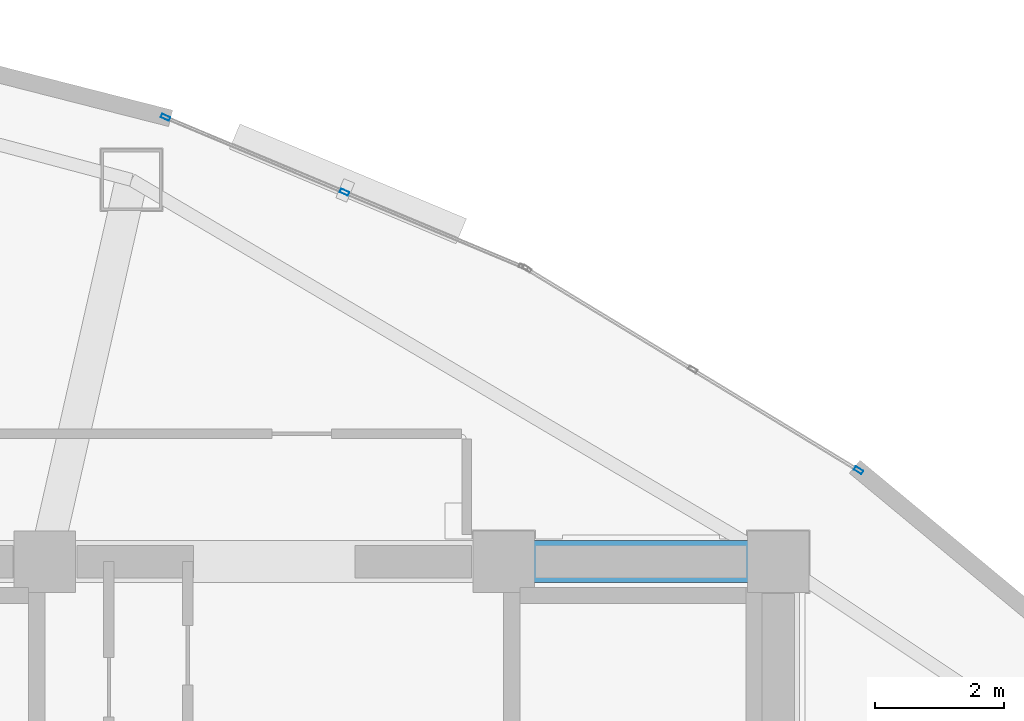
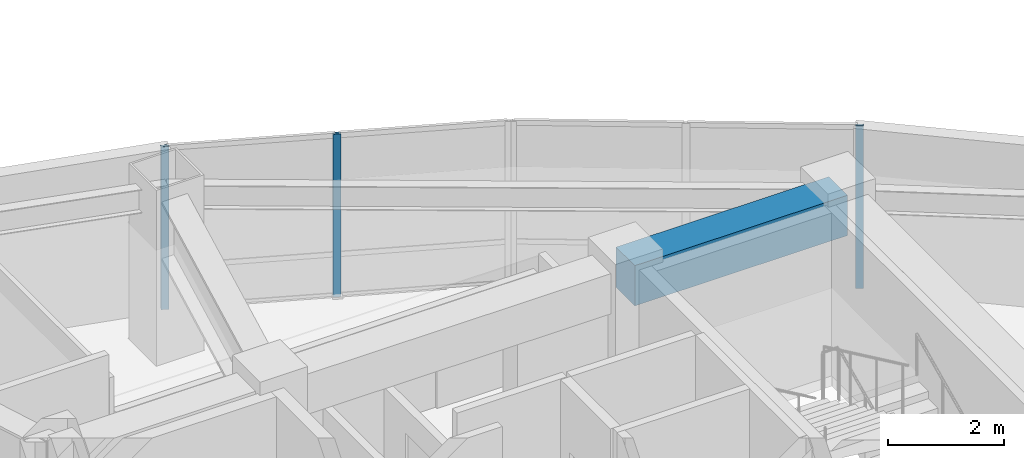
# One storey, part 9 of 15: 3 members, 1 beam, 2 elements without a shape of their own.
"""IFC4 building model written with IfcOpenShell, lengths in metres."""

from ifc_helpers import new_model, si_unit, direction, frame, origin, origin_2d, place, context, subcontext, project, spatial, rectangle, hollow_rectangle, extrude, material, layer, layer_set, material_profile, profile_set, type_object, element, aggregate, save


model = new_model("IFC4")

# Units and contexts
model_context = context("Model", 3, precision=1e-05, world=origin(), true_north=direction((0.0, 1.0)))
body_context = subcontext(model_context, "Body", "Model", "MODEL_VIEW")
ifc_project = project(units=[si_unit("LENGTHUNIT", "METRE"), si_unit("AREAUNIT", "SQUARE_METRE"), si_unit("VOLUMEUNIT", "CUBIC_METRE"), si_unit("PLANEANGLEUNIT", "RADIAN"), si_unit("MASSUNIT", "GRAM", prefix="KILO")], contexts=[model_context])

# Site, building, storey
site_placement = place(None, origin())
site = spatial("IfcSite", under=ifc_project, at=site_placement, CompositionType="ELEMENT")
building_placement = place(site_placement, origin())
building = spatial("IfcBuilding", under=site, at=building_placement, Name="Menara Vayukalpa", CompositionType="ELEMENT")
storey_placement = place(building_placement, frame((0.0, 0.0, 230.699951171875)))
storey = spatial("IfcBuildingStorey", under=building, at=storey_placement, Name="L58", CompositionType="ELEMENT", Elevation=230.699951171875)

# Beam
ifc_material_1 = material(Name="Concrete C60/75", Category="concrete")
ifc_material_profile_1 = material_profile(ifc_material_1, rectangle(XDim=0.64990234375, YDim=0.85009765625, at=origin_2d()), Name="RC 650x850")
ifc_profile_set_1 = profile_set([ifc_material_profile_1], Name="Concrete C60/75")
beam_type = type_object("IfcBeamType", Name="BM-CB1", PredefinedType="BEAM", material=ifc_profile_set_1)
beam_placement = place(storey_placement, frame((29.14990234375, 26.800048828125, 3.01513671875), z_axis=(1.0, 0.0, 0.0), x_axis=(0.0, 1.0, 0.0)))
element("IfcBeam", 1, at=beam_placement, inside=storey, type_object=beam_type, Name="L58 Core Tie Beam CBR6", PredefinedType="BEAM", context=body_context, shape_type="SweptSolid", body=[
    extrude(rectangle(XDim=0.64990234375, YDim=0.85009765625, at=origin_2d()), origin(), (0.0, 0.0, 1.0), 4.25),
])

# Curtain wall, member
ifc_material_2 = material(Name="Anodised Terracotta Aluminium Alloy 6063-T6", Category="masonry")
ifc_layer = layer(ifc_material_2, 0.139892578125)
ifc_layer_set = layer_set([ifc_layer], Name="Anodised Terracotta Aluminium Alloy 6063-T6")
curtain_wall_type = type_object("IfcCurtainWallType", Name="CW-CW5", PredefinedType="USERDEFINED", material=ifc_layer_set)
curtain_wall_1_placement = place(storey_placement, origin())
curtain_wall_1 = element("IfcCurtainWall", 2, at=curtain_wall_1_placement, inside=storey, type_object=curtain_wall_type, Name="L58 High Rise Tapered Curtain Wall CW5 04", ObjectType="UNITISED", PredefinedType="USERDEFINED")
ifc_material_3 = material(Name="Anodised Terracotta Aluminium Alloy 6063-T6", Category="masonry")
ifc_material_profile_2 = material_profile(ifc_material_3, hollow_rectangle(XDim=0.06005859375, YDim=0.139892578125, WallThickness=0.00341796875, at=origin_2d()), Name="ALU 60x140x3.5")
ifc_profile_set_2 = profile_set([ifc_material_profile_2], Name="Anodised Terracotta Aluminium Alloy 6063-T6")
member_type = type_object("IfcMemberType", Name="CWM-CW5", PredefinedType="MULLION", material=ifc_profile_set_2)
member_1_placement = place(storey_placement, frame((34.6416015625, 28.21484375, 0.0), z_axis=(0.0, 0.0, 1.0), x_axis=(-0.519179911779, -0.854664974832, 0.0)))
member_1 = element("IfcMember", 3, at=member_1_placement, type_object=member_type, Name="CW5 mullion 1", PredefinedType="MULLION", context=body_context, shape_type="SweptSolid", body=[
    extrude(hollow_rectangle(XDim=0.06005859375, YDim=0.139892578125, WallThickness=0.00341796875, at=origin_2d()), origin(), (0.0, 0.0, 1.0), 3.43994140625),
])
aggregate(curtain_wall_1, [member_1])

# Curtain wall, members
curtain_wall_2_placement = place(storey_placement, origin())
curtain_wall_2 = element("IfcCurtainWall", 4, at=curtain_wall_2_placement, inside=storey, type_object=curtain_wall_type, Name="L58 High Rise Tapered Curtain Wall CW5 05", ObjectType="UNITISED", PredefinedType="USERDEFINED")
member_2_placement = place(storey_placement, frame((26.686279296875, 32.518310546875, 0.0), z_axis=(0.0, 0.0, 1.0), x_axis=(-0.385902834406, -0.922539431351, 0.0)))
member_2 = element("IfcMember", 5, at=member_2_placement, type_object=member_type, Name="CW5 mullion 2", PredefinedType="MULLION", context=body_context, shape_type="SweptSolid", body=[
    extrude(hollow_rectangle(XDim=0.06005859375, YDim=0.139892578125, WallThickness=0.00341796875, at=origin_2d()), origin(), (0.0, 0.0, 1.0), 3.43994140625),
])
member_3_placement = place(storey_placement, frame((23.916259765625, 33.677001953125, 0.0), z_axis=(0.0, 0.0, 1.0), x_axis=(-0.385902834406, -0.922539431351, 0.0)))
member_3 = element("IfcMember", 6, at=member_3_placement, type_object=member_type, Name="CW5 mullion 3", PredefinedType="MULLION", context=body_context, shape_type="SweptSolid", body=[
    extrude(hollow_rectangle(XDim=0.06005859375, YDim=0.139892578125, WallThickness=0.00341796875, at=origin_2d()), origin(), (0.0, 0.0, 1.0), 3.43994140625),
])
aggregate(curtain_wall_2, [member_2, member_3])

save(model, "model.ifc")
